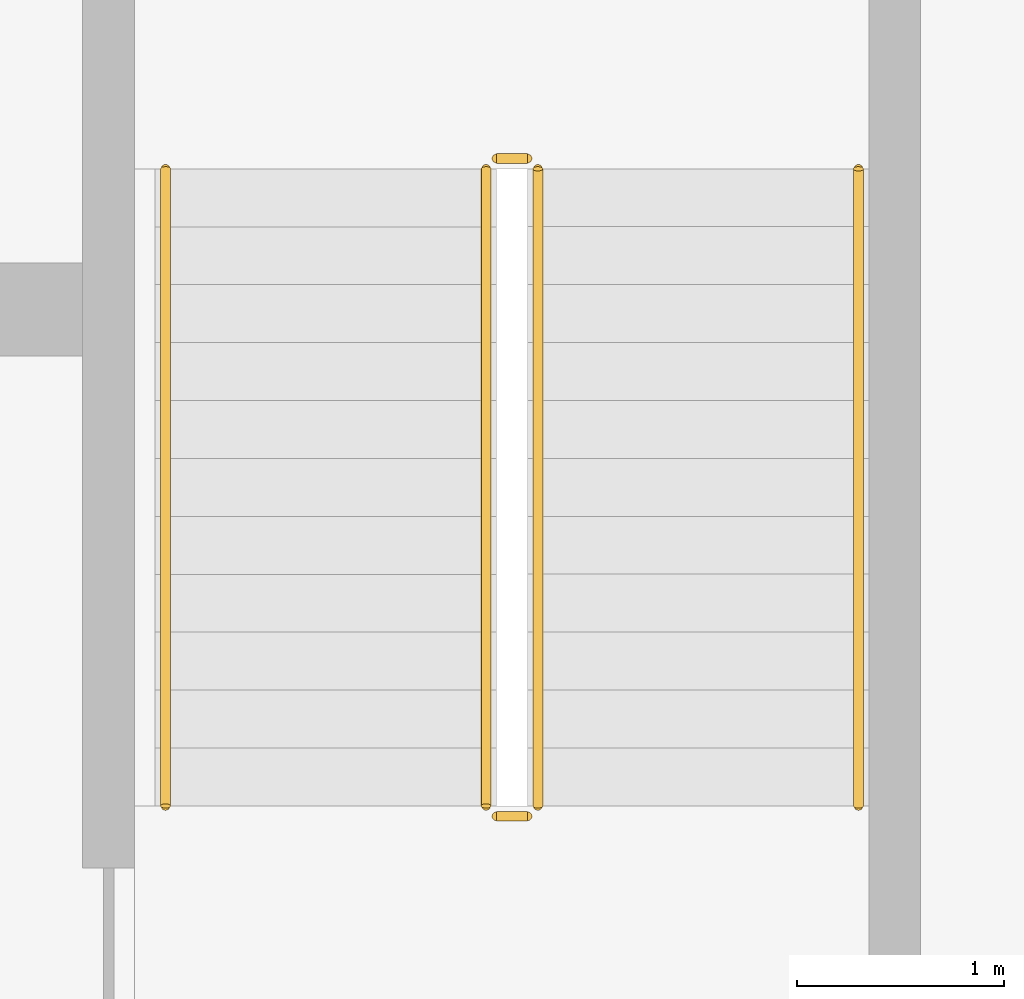
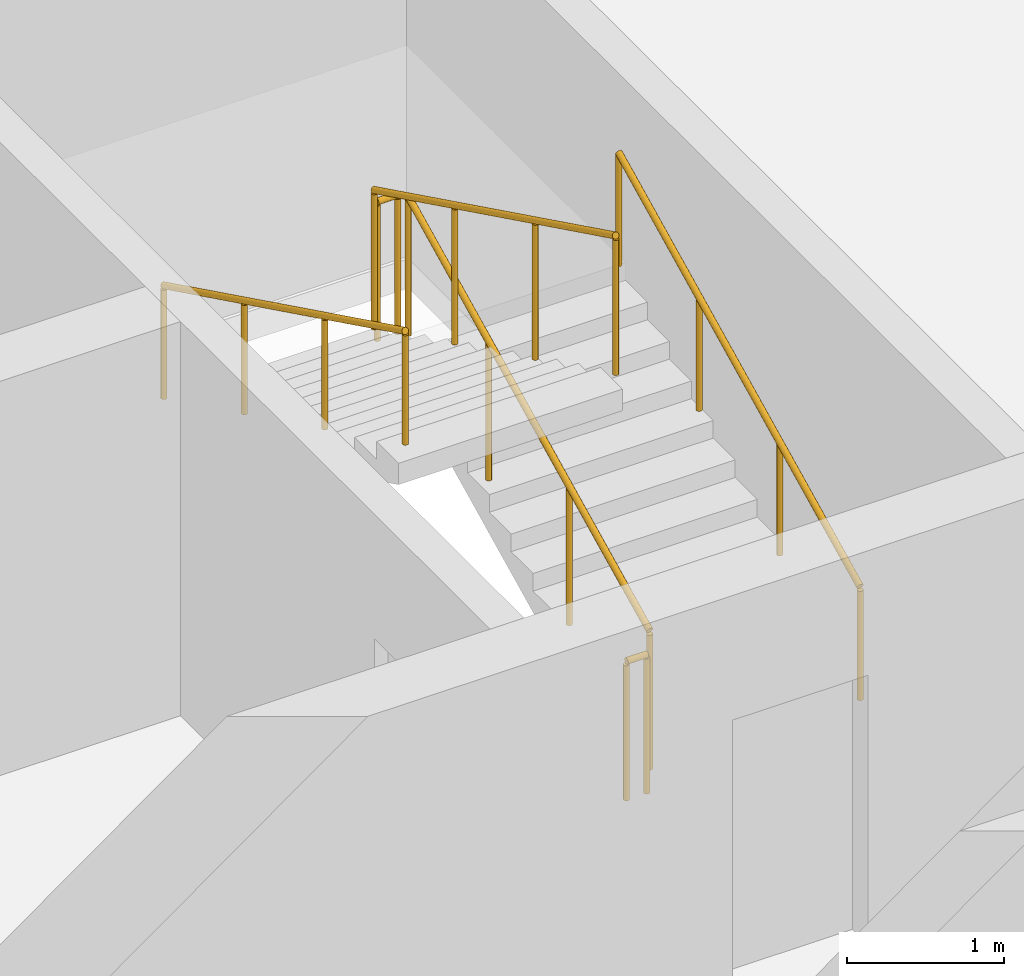
# One storey, part 16 of 32: 6 railings.
"""IFC4 building model written with IfcOpenShell, lengths in metres."""

from ifc_helpers import new_model, si_unit, direction, frame, origin, origin_2d, place, context, subcontext, project, spatial, circle, extrude, material, type_object, element, save


model = new_model("IFC4")

# Units and contexts
model_context = context("Model", 3, precision=1e-05, world=origin(), true_north=direction((0.0, 1.0)))
body_context = subcontext(model_context, "Body", "Model", "MODEL_VIEW")
ifc_project = project(units=[si_unit("LENGTHUNIT", "METRE"), si_unit("AREAUNIT", "SQUARE_METRE"), si_unit("VOLUMEUNIT", "CUBIC_METRE"), si_unit("PLANEANGLEUNIT", "RADIAN"), si_unit("MASSUNIT", "GRAM", prefix="KILO")], contexts=[model_context])

# Site, building, storey
site_placement = place(None, origin())
site = spatial("IfcSite", under=ifc_project, at=site_placement, CompositionType="ELEMENT")
building_placement = place(site_placement, origin())
building = spatial("IfcBuilding", under=site, at=building_placement, Name="Poui Terraces", CompositionType="ELEMENT")
storey_placement = place(building_placement, frame((0.0, 0.0, 122.39990234375)))
storey = spatial("IfcBuildingStorey", under=building, at=storey_placement, Name="L33", CompositionType="ELEMENT", Elevation=122.39990234375)

# Railings
ifc_material_1 = material(Name="Galvanised steel balustrade", Category="steel")
railing_type_1 = type_object("IfcRailingType", Name="STAIR GUARD 1100", PredefinedType="GUARDRAIL", material=ifc_material_1)
railing_1_placement = place(storey_placement, frame((70.27490234375, 16.60009765625, 0.1376953125)))
element("IfcRailing", 1, at=railing_1_placement, inside=storey, type_object=railing_type_1, Name="L33 ST-CE stair guard 1", PredefinedType="GUARDRAIL", context=body_context, shape_type="SweptSolid", body=[
    extrude(circle(Radius=0.02392578125, at=origin_2d()), frame((0.0, 0.0, 1.076171875), z_axis=(0.0, 0.897606190399, 0.440798283751), x_axis=(-1.0, 0.0, 0.0)), (0.0, 0.0, 1.0), 3.43115234375),
    extrude(circle(Radius=0.02099609375, at=origin_2d()), origin(), (0.0, 0.0, 1.0), 1.052001953125),
    extrude(circle(Radius=0.02099609375, at=origin_2d()), frame((0.0, 1.026611328125, 0.504150390625)), (0.0, 0.0, 1.0), 1.052001953125),
    extrude(circle(Radius=0.02099609375, at=origin_2d()), frame((0.0, 2.05322265625, 1.00830078125)), (0.0, 0.0, 1.0), 1.052001953125),
    extrude(circle(Radius=0.02099609375, at=origin_2d()), frame((0.0, 3.079833984375, 1.512451171875)), (0.0, 0.0, 1.0), 1.052001953125),
])
railing_2_placement = place(storey_placement, frame((70.22509765625, 19.72998046875, 1.650146484375)))
element("IfcRailing", 2, at=railing_2_placement, inside=storey, type_object=railing_type_1, Name="L33 ST-CE stair guard 2", PredefinedType="GUARDRAIL", context=body_context, shape_type="SweptSolid", body=[
    extrude(circle(Radius=0.02392578125, at=origin_2d()), frame((0.0, 0.0, 1.076171875), z_axis=(-1.0, 0.0, 0.0), x_axis=(0.0, -1.0, 0.0)), (0.0, 0.0, 1.0), 0.150146484375),
    extrude(circle(Radius=0.02099609375, at=origin_2d()), origin(), (0.0, 0.0, 1.0), 1.052001953125),
    extrude(circle(Radius=0.02099609375, at=origin_2d()), frame((-0.150146484375, 0.0, 0.0)), (0.0, 0.0, 1.0), 1.052001953125),
])
railing_3_placement = place(storey_placement, frame((70.02490234375, 19.679931640625, 1.78759765625)))
element("IfcRailing", 3, at=railing_3_placement, inside=storey, type_object=railing_type_1, Name="L33 ST-CE stair guard 3", PredefinedType="GUARDRAIL", context=body_context, shape_type="SweptSolid", body=[
    extrude(circle(Radius=0.02392578125, at=origin_2d()), frame((0.0, 0.0, 1.076171875), z_axis=(0.0, -0.897606190399, 0.440798283751), x_axis=(1.0, 0.0, 0.0)), (0.0, 0.0, 1.0), 3.43115234375),
    extrude(circle(Radius=0.02099609375, at=origin_2d()), origin(), (0.0, 0.0, 1.0), 1.052001953125),
    extrude(circle(Radius=0.02099609375, at=origin_2d()), frame((0.0, -1.026611328125, 0.504150390625)), (0.0, 0.0, 1.0), 1.052001953125),
    extrude(circle(Radius=0.02099609375, at=origin_2d()), frame((0.0, -2.05322265625, 1.00830078125)), (0.0, 0.0, 1.0), 1.052001953125),
    extrude(circle(Radius=0.02099609375, at=origin_2d()), frame((0.0, -3.079833984375, 1.512451171875)), (0.0, 0.0, 1.0), 1.052001953125),
])
railing_4_placement = place(storey_placement, frame((70.22509765625, 16.550048828125, 0.0)))
element("IfcRailing", 4, at=railing_4_placement, inside=storey, type_object=railing_type_1, Name="L33 ST-CE stair guard 4", PredefinedType="GUARDRAIL", context=body_context, shape_type="SweptSolid", body=[
    extrude(circle(Radius=0.02392578125, at=origin_2d()), frame((0.0, 0.0, 1.076171875), z_axis=(-1.0, 0.0, 0.0), x_axis=(0.0, -1.0, 0.0)), (0.0, 0.0, 1.0), 0.150146484375),
    extrude(circle(Radius=0.02099609375, at=origin_2d()), origin(), (0.0, 0.0, 1.0), 1.052001953125),
    extrude(circle(Radius=0.02099609375, at=origin_2d()), frame((-0.150146484375, 0.0, 0.0)), (0.0, 0.0, 1.0), 1.052001953125),
])
ifc_material_2 = material(Name="Stainless steel handrail", Category="steel")
railing_type_2 = type_object("IfcRailingType", Name="STAIR HANDRAIL 900", PredefinedType="HANDRAIL", material=ifc_material_2)
railing_5_placement = place(storey_placement, frame((71.824951171875, 16.60009765625, 0.1376953125)))
element("IfcRailing", 5, at=railing_5_placement, inside=storey, type_object=railing_type_2, Name="L33 ST-CE stair handrail 1", PredefinedType="HANDRAIL", context=body_context, shape_type="SweptSolid", body=[
    extrude(circle(Radius=0.02392578125, at=origin_2d()), frame((0.0, 0.0, 0.8759765625), z_axis=(0.0, 0.897606190399, 0.440798283751), x_axis=(-1.0, 0.0, 0.0)), (0.0, 0.0, 1.0), 3.43115234375),
    extrude(circle(Radius=0.02099609375, at=origin_2d()), origin(), (0.0, 0.0, 1.0), 0.851806640625),
    extrude(circle(Radius=0.02099609375, at=origin_2d()), frame((0.0, 1.026611328125, 0.504150390625)), (0.0, 0.0, 1.0), 0.851806640625),
    extrude(circle(Radius=0.02099609375, at=origin_2d()), frame((0.0, 2.05322265625, 1.00830078125)), (0.0, 0.0, 1.0), 0.851806640625),
    extrude(circle(Radius=0.02099609375, at=origin_2d()), frame((0.0, 3.079833984375, 1.512451171875)), (0.0, 0.0, 1.0), 0.851806640625),
])
railing_6_placement = place(storey_placement, frame((68.47509765625, 19.679931640625, 1.78759765625)))
element("IfcRailing", 6, at=railing_6_placement, inside=storey, type_object=railing_type_2, Name="L33 ST-CE stair handrail 2", PredefinedType="HANDRAIL", context=body_context, shape_type="SweptSolid", body=[
    extrude(circle(Radius=0.02392578125, at=origin_2d()), frame((0.0, 0.0, 0.8759765625), z_axis=(0.0, -0.897606190399, 0.440798283751), x_axis=(1.0, 0.0, 0.0)), (0.0, 0.0, 1.0), 3.43115234375),
    extrude(circle(Radius=0.02099609375, at=origin_2d()), origin(), (0.0, 0.0, 1.0), 0.851806640625),
    extrude(circle(Radius=0.02099609375, at=origin_2d()), frame((0.0, -1.026611328125, 0.504150390625)), (0.0, 0.0, 1.0), 0.851806640625),
    extrude(circle(Radius=0.02099609375, at=origin_2d()), frame((0.0, -2.05322265625, 1.00830078125)), (0.0, 0.0, 1.0), 0.851806640625),
    extrude(circle(Radius=0.02099609375, at=origin_2d()), frame((0.0, -3.079833984375, 1.512451171875)), (0.0, 0.0, 1.0), 0.851806640625),
])

save(model, "model.ifc")
